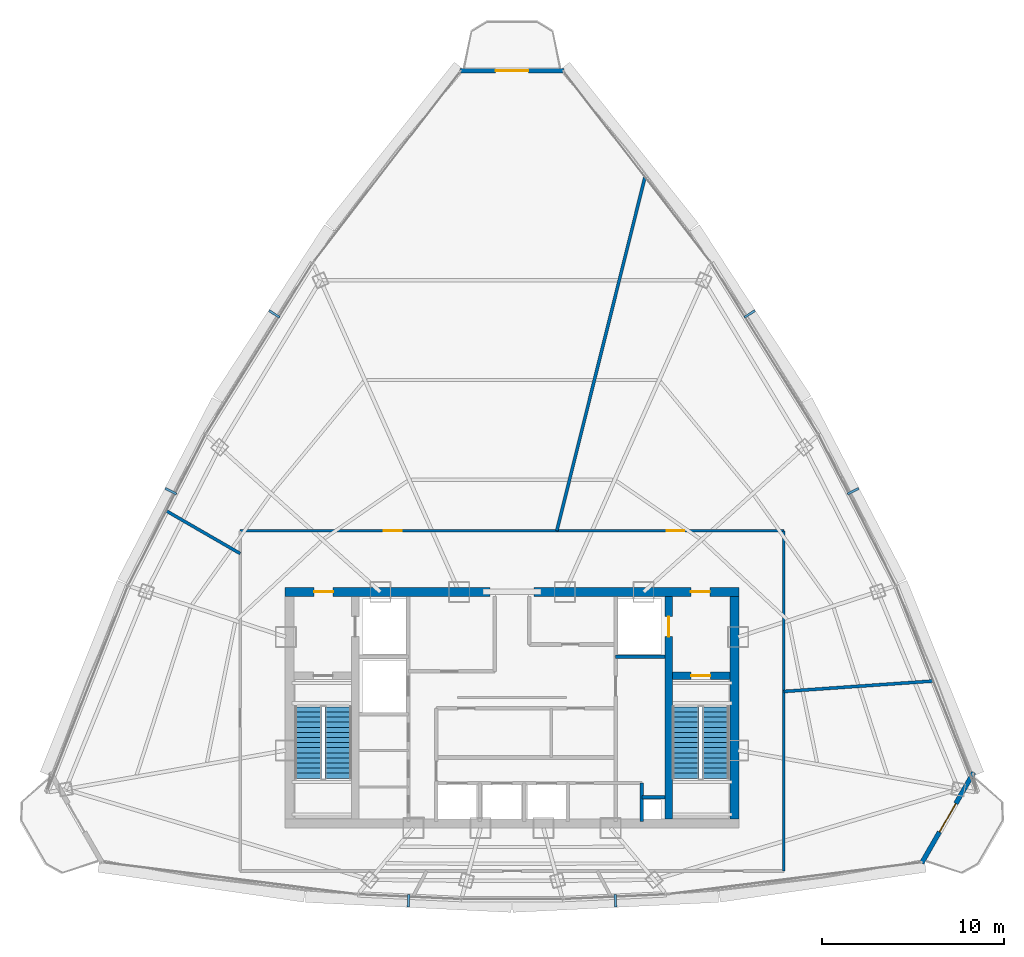
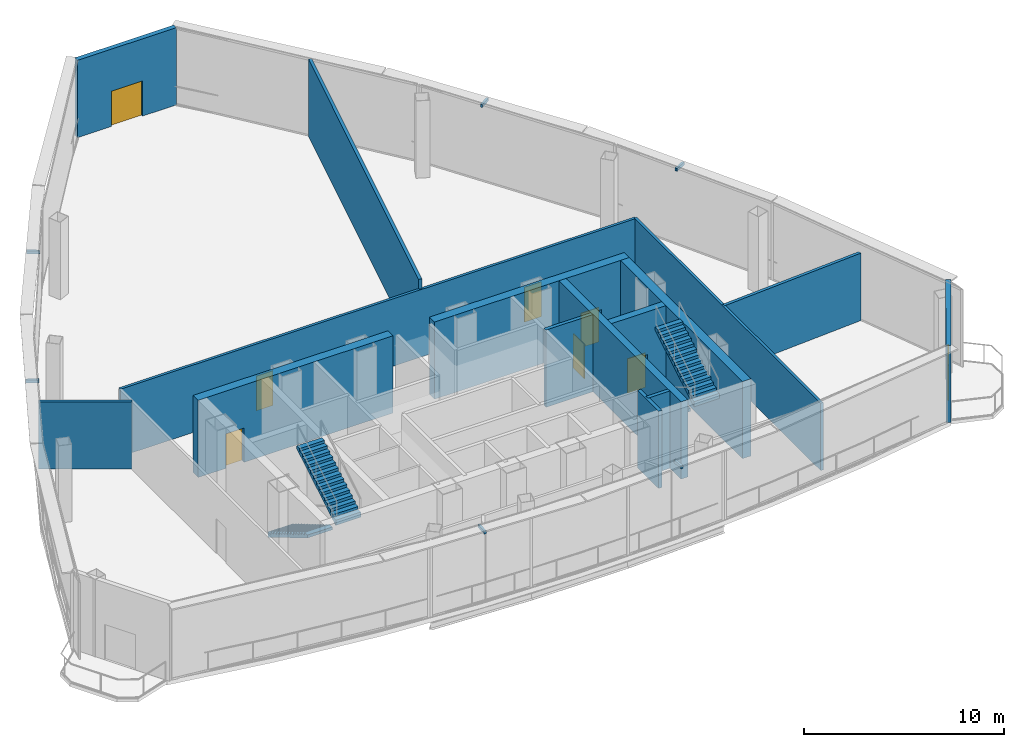
# One storey, part 25 of 29: 15 walls, 8 doors, 6 discrete accessories, 4 stair flights, 8 openings, 2 elements without a shape of their own.
"""IFC4 building model written with IfcOpenShell, lengths in metres."""

from ifc_helpers import new_model, si_unit, direction, frame, frame_2d, origin, origin_with_axes, origin_2d, place, context, subcontext, project, spatial, polyline, rectangle, outline, extrude, source, transform, mapped, material, layer, layer_set, type_object, element, fill, aggregate, save


model = new_model("IFC4")

# Units and contexts
model_context = context("Model", 3, precision=1e-05, world=origin(), true_north=direction((0.0, 1.0)))
body_context = subcontext(model_context, "Body", "Model", "MODEL_VIEW")
ifc_project = project(units=[si_unit("LENGTHUNIT", "METRE"), si_unit("AREAUNIT", "SQUARE_METRE"), si_unit("VOLUMEUNIT", "CUBIC_METRE"), si_unit("PLANEANGLEUNIT", "RADIAN"), si_unit("MASSUNIT", "GRAM", prefix="KILO"), si_unit("THERMODYNAMICTEMPERATUREUNIT", "KELVIN"), si_unit("POWERUNIT", "WATT")], contexts=[model_context])

# Site, building, storey
site_placement = place(None, origin())
site = spatial("IfcSite", under=ifc_project, at=site_placement, CompositionType="ELEMENT")
building_placement = place(site_placement, origin())
building = spatial("IfcBuilding", under=site, at=building_placement, Name="Yunzhuo Pagoda Commons", CompositionType="ELEMENT")
storey_placement = place(building_placement, frame((0.0, 0.0, 366.760009765625)))
storey = spatial("IfcBuildingStorey", under=building, at=storey_placement, Name="L92", CompositionType="ELEMENT", Elevation=366.760009765625)

# Wall, opening, door
ifc_material_1 = material(Name="Precast concrete C40", Category="concrete")
ifc_layer_1 = layer(ifc_material_1, 0.260009765625)
ifc_layer_set_1 = layer_set([ifc_layer_1], Name="Precast concrete C40")
wall_type_1 = type_object("IfcWallType", Name="W-BAL1 Corner Balcony Threshold Wall 260", PredefinedType="STANDARD", material=ifc_layer_set_1)
wall_1_placement = place(storey_placement, frame((70.458740234375, 25.33251953125, 0.0), z_axis=(0.0, 0.0, 1.0), x_axis=(0.497922092791, 0.867221764897, 0.0)))
wall_1 = element("IfcWall", 1, at=wall_1_placement, inside=storey, type_object=wall_type_1, Name="L92 corner balcony wall V2", PredefinedType="STANDARD", context=body_context, shape_type="SweptSolid", body=[
    extrude(rectangle(XDim=5.732421875, YDim=0.260009765625, at=frame_2d((2.8662109375, 0.0))), origin(), (0.0, 0.0, 1.0), 4.719970703125),
])
opening_1_placement = place(wall_1_placement, frame((1.966064453125, 0.0, 0.0)))
opening_1 = element("IfcOpeningElement", 2, at=opening_1_placement, cuts=wall_1, Name="Opening D-BAL1", PredefinedType="OPENING", context=body_context, shape_type="SweptSolid", body=[
    extrude(rectangle(XDim=1.800048828125, YDim=2.14990234375, at=frame_2d((0.89990234375, 1.074951171875))), frame((0.0, 0.14013671875, 0.0), z_axis=(0.0, -1.0, 0.0), x_axis=(1.0, 0.0, 0.0)), (0.0, 0.0, 1.0), 0.280029296875),
])
ifc_material_2 = material(Name="Anodized aluminium frame and tempered glazed leaf", Category="aluminium")
door_type_1 = type_object("IfcDoorType", Name="D-BAL1 Corner Balcony Sliding Glazed Door 1800x2150", OperationType="DOUBLE_DOOR_SLIDING", PredefinedType="DOOR", material=ifc_material_2)
shared_shape_1 = source(origin(), body_context, "Body", "SweptSolid", [
    extrude(rectangle(XDim=1.800048828125, YDim=2.14990234375, at=frame_2d((0.89990234375, 1.074951171875))), frame((0.0, 0.02490234375, 0.0), z_axis=(0.0, -1.0, 0.0), x_axis=(1.0, 0.0, 0.0)), (0.0, 0.0, 1.0), 0.050048828125),
])
door_1_placement = place(opening_1_placement, origin_with_axes())
door_1 = element("IfcDoor", 3, at=door_1_placement, inside=storey, type_object=door_type_1, Name="L92 corner balcony sliding door V2", OperationType="DOUBLE_DOOR_SLIDING", OverallHeight=2.14990234375, OverallWidth=1.800048828125, PredefinedType="DOOR", context=body_context, shape_type="MappedRepresentation", body=[
    mapped(shared_shape_1, transform((0.0, 0.0, 0.0), scale=1.0)),
])
fill(opening_1, door_1)

wall_2_placement = place(storey_placement, frame((50.85498046875, 68.774169921875, 0.0), z_axis=(0.0, 0.0, 1.0), x_axis=(-1.0, 0.0, 0.0)))
wall_2 = element("IfcWall", 4, at=wall_2_placement, inside=storey, type_object=wall_type_1, Name="L92 corner balcony wall V3", PredefinedType="STANDARD", context=body_context, shape_type="SweptSolid", body=[
    extrude(rectangle(XDim=5.7099609375, YDim=0.260009765625, at=frame_2d((2.85498046875, 0.0))), origin(), (0.0, 0.0, 1.0), 4.719970703125),
])
opening_2_placement = place(wall_2_placement, frame((1.954833984375, 0.0, 0.0)))
opening_2 = element("IfcOpeningElement", 5, at=opening_2_placement, cuts=wall_2, Name="Opening D-BAL1", PredefinedType="OPENING", context=body_context, shape_type="SweptSolid", body=[
    extrude(rectangle(XDim=1.800048828125, YDim=2.14990234375, at=frame_2d((0.89990234375, 1.074951171875))), frame((0.0, 0.14013671875, 0.0), z_axis=(0.0, -1.0, 0.0), x_axis=(1.0, 0.0, 0.0)), (0.0, 0.0, 1.0), 0.280029296875),
])
door_2_placement = place(opening_2_placement, origin_with_axes())
door_2 = element("IfcDoor", 6, at=door_2_placement, inside=storey, type_object=door_type_1, Name="L92 corner balcony sliding door V3", OperationType="DOUBLE_DOOR_SLIDING", OverallHeight=2.14990234375, OverallWidth=1.800048828125, PredefinedType="DOOR", context=body_context, shape_type="MappedRepresentation", body=[
    mapped(shared_shape_1, transform((0.0, 0.0, 0.0), scale=1.0)),
])
fill(opening_2, door_2)

ifc_material_3 = material(Name="Concrete C50", Category="concrete")
ifc_layer_2 = layer(ifc_material_3, 0.5)
ifc_layer_set_2 = layer_set([ifc_layer_2], Name="Concrete C50")
wall_type_2 = type_object("IfcWallType", Name="W-C03 Upper Core Shear Wall 500", PredefinedType="SHEAR", material=ifc_layer_set_2)
wall_3_placement = place(storey_placement, frame((35.550048828125, 40.199951171875, 0.0), z_axis=(0.0, 0.0, 1.0), x_axis=(1.0, 0.0, 0.0)))
wall_3 = element("IfcWall", 7, at=wall_3_placement, inside=storey, type_object=wall_type_2, Name="L92 core shear wall NW", PredefinedType="SHEAR", context=body_context, shape_type="SweptSolid", body=[
    extrude(rectangle(XDim=11.25, YDim=0.5, at=frame_2d((5.625, 0.0))), origin(), (0.0, 0.0, 1.0), 4.719970703125),
])
opening_3_placement = place(wall_3_placement, frame((1.60009765625, 0.0, 0.0)))
opening_3 = element("IfcOpeningElement", 8, at=opening_3_placement, cuts=wall_3, Name="Opening D-02", PredefinedType="OPENING", context=body_context, shape_type="SweptSolid", body=[
    extrude(rectangle(XDim=1.050048828125, YDim=2.10009765625, at=frame_2d((0.52490234375, 1.050048828125))), frame((0.0, 0.260009765625, 0.0), z_axis=(0.0, -1.0, 0.0), x_axis=(1.0, 0.0, 0.0)), (0.0, 0.0, 1.0), 0.52001953125),
])
ifc_material_4 = material(Name="Galvanized fire-resisting metal leaf")
door_type_2 = type_object("IfcDoorType", Name="D-02 Firefighting Lobby & Refuge Fire Door 1050x2100", OperationType="NOTDEFINED", PredefinedType="DOOR", material=ifc_material_4)
shared_shape_2 = source(origin(), body_context, "Body", "SweptSolid", [
    extrude(rectangle(XDim=1.050048828125, YDim=2.10009765625, at=frame_2d((0.52490234375, 1.050048828125))), frame((0.0, 0.02490234375, 0.0), z_axis=(0.0, -1.0, 0.0), x_axis=(1.0, 0.0, 0.0)), (0.0, 0.0, 1.0), 0.050048828125),
])
door_3_placement = place(opening_3_placement, frame((1.050048828125, 0.0, 0.0), z_axis=(0.0, 0.0, 1.0), x_axis=(-1.0, 0.0, 0.0)))
door_3 = element("IfcDoor", 9, at=door_3_placement, inside=storey, type_object=door_type_2, Name="L92 Firefighting Lobby 1 fire door", OperationType="SINGLE_SWING_LEFT", OverallHeight=2.10009765625, OverallWidth=1.050048828125, PredefinedType="DOOR", context=body_context, shape_type="MappedRepresentation", body=[
    mapped(shared_shape_2, transform((0.0, 0.0, 0.0), scale=1.0)),
])
fill(opening_3, door_3)

wall_4_placement = place(storey_placement, frame((49.199951171875, 40.199951171875, 0.0), z_axis=(0.0, 0.0, 1.0), x_axis=(1.0, 0.0, 0.0)))
wall_4 = element("IfcWall", 10, at=wall_4_placement, inside=storey, type_object=wall_type_2, Name="L92 core shear wall NE", PredefinedType="SHEAR", context=body_context, shape_type="SweptSolid", body=[
    extrude(rectangle(XDim=11.25, YDim=0.5, at=frame_2d((5.625, 0.0))), origin(), (0.0, 0.0, 1.0), 4.719970703125),
])
opening_4_placement = place(wall_4_placement, frame((8.60009765625, 0.0, 0.0)))
opening_4 = element("IfcOpeningElement", 11, at=opening_4_placement, cuts=wall_4, Name="Opening D-02", PredefinedType="OPENING", context=body_context, shape_type="SweptSolid", body=[
    extrude(rectangle(XDim=1.050048828125, YDim=2.10009765625, at=frame_2d((0.52490234375, 1.050048828125))), frame((0.0, 0.260009765625, 0.0), z_axis=(0.0, -1.0, 0.0), x_axis=(1.0, 0.0, 0.0)), (0.0, 0.0, 1.0), 0.52001953125),
])
door_4_placement = place(opening_4_placement, frame((1.050048828125, 0.0, 0.0), z_axis=(0.0, 0.0, 1.0), x_axis=(-1.0, 0.0, 0.0)))
door_4 = element("IfcDoor", 12, at=door_4_placement, inside=storey, type_object=door_type_2, Name="L92 Firefighting Lobby 2 fire door", OperationType="SINGLE_SWING_RIGHT", OverallHeight=2.10009765625, OverallWidth=1.050048828125, PredefinedType="DOOR", context=body_context, shape_type="MappedRepresentation", body=[
    mapped(shared_shape_2, transform((0.0, 0.0, 0.0), scale=1.0)),
])
fill(opening_4, door_4)

# Walls
wall_5_placement = place(storey_placement, frame((60.199951171875, 27.75, 0.0), z_axis=(0.0, 0.0, 1.0), x_axis=(0.0, 1.0, 0.0)))
element("IfcWall", 13, at=wall_5_placement, inside=storey, type_object=wall_type_2, Name="L92 core shear wall E", PredefinedType="SHEAR", context=body_context, shape_type="SweptSolid", body=[
    extrude(rectangle(XDim=12.199951171875, YDim=0.5, at=frame_2d((6.10009765625, 0.0))), origin(), (0.0, 0.0, 1.0), 4.719970703125),
])
ifc_material_5 = material(Name="Gypsum plasterboard on acoustic stud")
ifc_layer_3 = layer(ifc_material_5, 0.14990234375)
ifc_layer_set_3 = layer_set([ifc_layer_3], Name="Gypsum plasterboard on acoustic stud")
wall_type_3 = type_object("IfcWallType", Name="W-COR3 High-Zone Rated Corridor Wall 150", PredefinedType="PARTITIONING", material=ifc_layer_set_3)
wall_6_placement = place(storey_placement, frame((62.89990234375, 24.89990234375, 0.0), z_axis=(0.0, 0.0, 1.0), x_axis=(0.0, 1.0, 0.0)))
element("IfcWall", 14, at=wall_6_placement, inside=storey, type_object=wall_type_3, Name="L92 interior wall IW-L92-SCW02", PredefinedType="PARTITIONING", context=body_context, shape_type="SweptSolid", body=[
    extrude(rectangle(XDim=18.650146484375, YDim=0.14990234375, at=frame_2d((9.3251953125, 0.0))), origin(), (0.0, 0.0, 1.0), 4.119873046875),
])

# Wall, openings, doors
wall_7_placement = place(storey_placement, frame((62.89990234375, 43.550048828125, 0.0), z_axis=(0.0, 0.0, 1.0), x_axis=(-1.0, 0.0, 0.0)))
wall_7 = element("IfcWall", 15, at=wall_7_placement, inside=storey, type_object=wall_type_3, Name="L92 interior wall IW-L92-SCW03", PredefinedType="PARTITIONING", context=body_context, shape_type="SweptSolid", body=[
    extrude(rectangle(XDim=29.7998046875, YDim=0.14990234375, at=frame_2d((14.89990234375, 0.0))), origin(), (0.0, 0.0, 1.0), 4.119873046875),
])
opening_5_placement = place(wall_7_placement, frame((5.447021484375, 0.0, 0.0)))
opening_5 = element("IfcOpeningElement", 16, at=opening_5_placement, cuts=wall_7, Name="Opening D-08", PredefinedType="OPENING", context=body_context, shape_type="SweptSolid", body=[
    extrude(rectangle(XDim=0.97998046875, YDim=2.1201171875, at=frame_2d((0.489990234375, 1.06005859375))), frame((0.0, 0.0849609375, 0.0), z_axis=(0.0, -1.0, 0.0), x_axis=(1.0, 0.0, 0.0)), (0.0, 0.0, 1.0), 0.169921875),
])
opening_6_placement = place(wall_7_placement, frame((20.947021484375, 0.0, 0.0)))
opening_6 = element("IfcOpeningElement", 17, at=opening_6_placement, cuts=wall_7, Name="Opening D-08", PredefinedType="OPENING", context=body_context, shape_type="SweptSolid", body=[
    extrude(rectangle(XDim=0.97998046875, YDim=2.1201171875, at=frame_2d((0.489990234375, 1.06005859375))), frame((0.0, 0.0849609375, 0.0), z_axis=(0.0, -1.0, 0.0), x_axis=(1.0, 0.0, 0.0)), (0.0, 0.0, 1.0), 0.169921875),
])
door_type_3 = type_object("IfcDoorType", Name="D-08 High-Zone Suite Entrance Fire Door 980x2120", OperationType="NOTDEFINED", PredefinedType="DOOR", material=ifc_material_4)
shared_shape_3 = source(origin(), body_context, "Body", "SweptSolid", [
    extrude(rectangle(XDim=0.97998046875, YDim=2.1201171875, at=frame_2d((0.489990234375, 1.06005859375))), frame((0.0, 0.02490234375, 0.0), z_axis=(0.0, -1.0, 0.0), x_axis=(1.0, 0.0, 0.0)), (0.0, 0.0, 1.0), 0.050048828125),
])
door_5_placement = place(opening_5_placement, origin_with_axes())
door_5 = element("IfcDoor", 18, at=door_5_placement, inside=storey, type_object=door_type_3, Name="L92 Summit Observation Gallery door", OperationType="SINGLE_SWING_LEFT", OverallHeight=2.1201171875, OverallWidth=0.97998046875, PredefinedType="DOOR", context=body_context, shape_type="MappedRepresentation", body=[
    mapped(shared_shape_3, transform((0.0, 0.0, 0.0), scale=1.0)),
])
fill(opening_5, door_5)
door_6_placement = place(opening_6_placement, origin_with_axes())
door_6 = element("IfcDoor", 19, at=door_6_placement, inside=storey, type_object=door_type_3, Name="L92 Panorama Research Study Commons door", OperationType="SINGLE_SWING_RIGHT", OverallHeight=2.1201171875, OverallWidth=0.97998046875, PredefinedType="DOOR", context=body_context, shape_type="MappedRepresentation", body=[
    mapped(shared_shape_3, transform((0.0, 0.0, 0.0), scale=1.0)),
])
fill(opening_6, door_6)

# Walls
ifc_layer_4 = layer(ifc_material_5, 0.169921875)
ifc_layer_set_4 = layer_set([ifc_layer_4], Name="Gypsum plasterboard on acoustic stud")
wall_type_4 = type_object("IfcWallType", Name="W-PRT4 High-Zone Demising Wall 170", PredefinedType="PARTITIONING", material=ifc_layer_set_4)
wall_8_placement = place(storey_placement, frame((62.89990234375, 34.741943359375, 0.0), z_axis=(0.0, 0.0, 1.0), x_axis=(0.99756353515, 0.069763839764, 0.0)))
element("IfcWall", 20, at=wall_8_placement, inside=storey, type_object=wall_type_4, Name="L92 interior wall IW-L92-SRAD1", PredefinedType="PARTITIONING", context=body_context, shape_type="SweptSolid", body=[
    extrude(rectangle(XDim=8.223876953125, YDim=0.169921875, at=frame_2d((4.11181640625, 0.0))), origin(), (0.0, 0.0, 1.0), 4.119873046875),
])
wall_9_placement = place(storey_placement, frame((50.455810546875, 43.550048828125, 0.0), z_axis=(0.0, 0.0, 1.0), x_axis=(0.241923592063, 0.970295303299, 0.0)))
element("IfcWall", 21, at=wall_9_placement, inside=storey, type_object=wall_type_4, Name="L92 interior wall IW-L92-SRAD2", PredefinedType="PARTITIONING", context=body_context, shape_type="SweptSolid", body=[
    extrude(rectangle(XDim=19.99365234375, YDim=0.169921875, at=frame_2d((9.996826171875, 0.0))), origin(), (0.0, 0.0, 1.0), 4.719970703125),
])
wall_10_placement = place(storey_placement, frame((33.10009765625, 42.302490234375, 0.0), z_axis=(0.0, 0.0, 1.0), x_axis=(-0.866015242679, 0.500017599138, 0.0)))
element("IfcWall", 22, at=wall_10_placement, inside=storey, type_object=wall_type_4, Name="L92 interior wall IW-L92-SRAD3", PredefinedType="PARTITIONING", context=body_context, shape_type="SweptSolid", body=[
    extrude(rectangle(XDim=4.677978515625, YDim=0.169921875, at=frame_2d((2.3388671875, 0.0))), origin(), (0.0, 0.0, 1.0), 4.119873046875),
])

# Wall, opening, door
ifc_material_6 = material(Name="Concrete C60", Category="concrete")
ifc_layer_5 = layer(ifc_material_6, 0.39990234375)
ifc_layer_set_5 = layer_set([ifc_layer_5], Name="Concrete C60")
wall_type_5 = type_object("IfcWallType", Name="W-S01 Internal Core Shear Web 400", PredefinedType="SHEAR", material=ifc_layer_set_5)
wall_11_placement = place(storey_placement, frame((56.60009765625, 27.75, 0.0), z_axis=(0.0, 0.0, 1.0), x_axis=(0.0, 1.0, 0.0)))
wall_11 = element("IfcWall", 23, at=wall_11_placement, inside=storey, type_object=wall_type_5, Name="L92 core shear wall WEBE", PredefinedType="SHEAR", context=body_context, shape_type="SweptSolid", body=[
    extrude(rectangle(XDim=12.199951171875, YDim=0.39990234375, at=frame_2d((6.10009765625, 0.0))), origin(), (0.0, 0.0, 1.0), 4.719970703125),
])
opening_7_placement = place(wall_11_placement, frame((10.0, 0.0, 0.0)))
opening_7 = element("IfcOpeningElement", 24, at=opening_7_placement, cuts=wall_11, Name="Opening LD-01", PredefinedType="OPENING", context=body_context, shape_type="SweptSolid", body=[
    extrude(rectangle(XDim=1.10009765625, YDim=2.10009765625, at=frame_2d((0.550048828125, 1.050048828125))), frame((0.0, 0.2099609375, 0.0), z_axis=(0.0, -1.0, 0.0), x_axis=(1.0, 0.0, 0.0)), (0.0, 0.0, 1.0), 0.419921875),
])
door_type_4 = type_object("IfcDoorType", Name="LD-01 Firefighting Lift Landing Door 1100x2100", OperationType="DOUBLE_DOOR_SLIDING", PredefinedType="DOOR", material=ifc_material_4)
shared_shape_4 = source(origin(), body_context, "Body", "SweptSolid", [
    extrude(rectangle(XDim=1.10009765625, YDim=2.10009765625, at=frame_2d((0.550048828125, 1.050048828125))), frame((0.0, 0.02490234375, 0.0), z_axis=(0.0, -1.0, 0.0), x_axis=(1.0, 0.0, 0.0)), (0.0, 0.0, 1.0), 0.050048828125),
])
door_7_placement = place(opening_7_placement, origin_with_axes())
door_7 = element("IfcDoor", 25, at=door_7_placement, inside=storey, type_object=door_type_4, Name="L92 Firefighting lift FL-2 landing door", OperationType="DOUBLE_DOOR_SLIDING", OverallHeight=2.10009765625, OverallWidth=1.10009765625, PredefinedType="DOOR", context=body_context, shape_type="MappedRepresentation", body=[
    mapped(shared_shape_4, transform((0.0, 0.0, 0.0), scale=1.0)),
])
fill(opening_7, door_7)

wall_12_placement = place(storey_placement, frame((56.800048828125, 35.60009765625, 0.0), z_axis=(0.0, 0.0, 1.0), x_axis=(1.0, 0.0, 0.0)))
wall_12 = element("IfcWall", 26, at=wall_12_placement, inside=storey, type_object=wall_type_5, Name="L92 core shear wall STE", PredefinedType="SHEAR", context=body_context, shape_type="SweptSolid", body=[
    extrude(rectangle(XDim=3.14990234375, YDim=0.39990234375, at=frame_2d((1.574951171875, 0.0))), origin(), (0.0, 0.0, 1.0), 4.719970703125),
])
opening_8_placement = place(wall_12_placement, frame((1.02001953125, 0.0, 0.0)))
opening_8 = element("IfcOpeningElement", 27, at=opening_8_placement, cuts=wall_12, Name="Opening D-01", PredefinedType="OPENING", context=body_context, shape_type="SweptSolid", body=[
    extrude(rectangle(XDim=1.050048828125, YDim=2.10009765625, at=frame_2d((0.52490234375, 1.050048828125))), frame((0.0, 0.2099609375, 0.0), z_axis=(0.0, -1.0, 0.0), x_axis=(1.0, 0.0, 0.0)), (0.0, 0.0, 1.0), 0.419921875),
])
door_type_5 = type_object("IfcDoorType", Name="D-01 Smokeproof Stair Fire Door 1050x2100", OperationType="NOTDEFINED", PredefinedType="DOOR", material=ifc_material_4)
door_8_placement = place(opening_8_placement, frame((1.050048828125, 0.0, 0.0), z_axis=(0.0, 0.0, 1.0), x_axis=(-1.0, 0.0, 0.0)))
door_8 = element("IfcDoor", 28, at=door_8_placement, inside=storey, type_object=door_type_5, Name="L92 Stair ST2 fire door", OperationType="SINGLE_SWING_RIGHT", OverallHeight=2.10009765625, OverallWidth=1.050048828125, PredefinedType="DOOR", context=body_context, shape_type="MappedRepresentation", body=[
    mapped(shared_shape_2, transform((0.0, 0.0, 0.0), scale=1.0)),
])
fill(opening_8, door_8)

# Walls
ifc_material_7 = material(Name="Concrete C40", Category="concrete")
ifc_layer_6 = layer(ifc_material_7, 0.199951171875)
ifc_layer_set_6 = layer_set([ifc_layer_6], Name="Concrete C40")
wall_type_6 = type_object("IfcWallType", Name="W-SHF Shaft & Stair Enclosure Wall 200", PredefinedType="SOLIDWALL", material=ifc_layer_set_6)
wall_13_placement = place(storey_placement, frame((53.679931640625, 36.64990234375, 0.0), z_axis=(0.0, 0.0, 1.0), x_axis=(1.0, 0.0, 0.0)))
element("IfcWall", 29, at=wall_13_placement, inside=storey, type_object=wall_type_6, Name="L92 interior wall IW-L92-FL2S", PredefinedType="SOLIDWALL", context=body_context, shape_type="SweptSolid", body=[
    extrude(rectangle(XDim=2.719970703125, YDim=0.199951171875, at=frame_2d((1.35986328125, 0.0))), origin(), (0.0, 0.0, 1.0), 4.719970703125),
])
wall_14_placement = place(storey_placement, frame((55.1201171875, 27.60009765625, 0.0), z_axis=(0.0, 0.0, 1.0), x_axis=(0.0, 1.0, 0.0)))
element("IfcWall", 30, at=wall_14_placement, inside=storey, type_object=wall_type_6, Name="L92 interior wall IW-L92-RSHFW", PredefinedType="SOLIDWALL", context=body_context, shape_type="SweptSolid", body=[
    extrude(rectangle(XDim=2.119873046875, YDim=0.199951171875, at=frame_2d((1.06005859375, 0.0))), origin(), (0.0, 0.0, 1.0), 4.719970703125),
])
wall_15_placement = place(storey_placement, frame((55.1201171875, 28.949951171875, 0.0), z_axis=(0.0, 0.0, 1.0), x_axis=(1.0, 0.0, 0.0)))
element("IfcWall", 31, at=wall_15_placement, inside=storey, type_object=wall_type_6, Name="L92 interior wall IW-L92-RSHFN", PredefinedType="SOLIDWALL", context=body_context, shape_type="SweptSolid", body=[
    extrude(rectangle(XDim=1.27978515625, YDim=0.199951171875, at=frame_2d((0.639892578125, 0.0))), origin(), (0.0, 0.0, 1.0), 4.719970703125),
])

# Stair, stair flights
stair_type_1 = type_object("IfcStairType", Name="ST-C1 Core Smokeproof Stair ST1", PredefinedType="HALF_TURN_STAIR", material=ifc_material_7)
stair_1_placement = place(storey_placement, origin())
stair_1 = element("IfcStair", 32, at=stair_1_placement, inside=storey, type_object=stair_type_1, Name="L92 Core smokeproof stair ST1", PredefinedType="HALF_TURN_STAIR")
stair_flight_type_1 = type_object("IfcStairFlightType", Name="STF-C1 Core Stair Flight 1450", PredefinedType="STRAIGHT", material=ifc_material_7)
shared_shape_5 = source(origin(), body_context, "Body", "SweptSolid", [
    extrude(outline(polyline([(0.0, -0.14990234375), (0.0, 0.0), (0.0, 0.166748046875), (0.280029296875, 0.166748046875), (0.280029296875, 0.333251953125), (0.56005859375, 0.333251953125), (0.56005859375, 0.5), (0.840087890625, 0.5), (0.840087890625, 0.666748046875), (1.1201171875, 0.666748046875), (1.1201171875, 0.833251953125), (1.39990234375, 0.833251953125), (1.39990234375, 1.0), (1.679931640625, 1.0), (1.679931640625, 1.166748046875), (1.9599609375, 1.166748046875), (1.9599609375, 1.333251953125), (2.239990234375, 1.333251953125), (2.239990234375, 1.5), (2.52001953125, 1.5), (2.52001953125, 1.666748046875), (2.800048828125, 1.666748046875), (2.800048828125, 1.833251953125), (3.080078125, 1.833251953125), (3.080078125, 2.0), (3.360107421875, 2.0), (3.360107421875, 2.166748046875), (3.639892578125, 2.166748046875), (3.639892578125, 2.333251953125), (3.919921875, 2.333251953125), (3.919921875, 2.5), (3.919921875, 2.158935546875), (0.29296875, 0.0), (0.050048828125, -0.14990234375), (0.0, -0.14990234375)])), frame((0.0, 0.72509765625, 0.0), z_axis=(0.0, -1.0, 0.0), x_axis=(1.0, 0.0, 0.0)), (0.0, 0.0, 1.0), 1.449951171875),
])
stair_flight_1_placement = place(storey_placement, frame((36.824951171875, 33.89990234375, 0.0), z_axis=(0.0, 0.0, 1.0), x_axis=(0.0, -1.0, 0.0)))
stair_flight_1 = element("IfcStairFlight", 33, at=stair_flight_1_placement, type_object=stair_flight_type_1, Name="ST1 flight 1", NumberOfRisers=15, NumberOfTreads=14, PredefinedType="STRAIGHT", RiserHeight=0.166666667, TreadLength=0.28, context=body_context, shape_type="MappedRepresentation", body=[
    mapped(shared_shape_5, transform((0.0, 0.0, 0.0), scale=1.0)),
])
stair_flight_2_placement = place(storey_placement, frame((38.47509765625, 29.97998046875, 2.5), z_axis=(0.0, 0.0, 1.0), x_axis=(0.0, 1.0, 0.0)))
stair_flight_2 = element("IfcStairFlight", 34, at=stair_flight_2_placement, type_object=stair_flight_type_1, Name="ST1 flight 2", NumberOfRisers=15, NumberOfTreads=14, PredefinedType="STRAIGHT", RiserHeight=0.166666667, TreadLength=0.28, context=body_context, shape_type="MappedRepresentation", body=[
    mapped(shared_shape_5, transform((0.0, 0.0, 0.0), scale=1.0)),
])
aggregate(stair_1, [stair_flight_1, stair_flight_2])

stair_type_2 = type_object("IfcStairType", Name="ST-C2 Core Smokeproof Stair ST2", PredefinedType="HALF_TURN_STAIR", material=ifc_material_7)
stair_2_placement = place(storey_placement, origin())
stair_2 = element("IfcStair", 35, at=stair_2_placement, inside=storey, type_object=stair_type_2, Name="L92 Core smokeproof stair ST2", PredefinedType="HALF_TURN_STAIR")
stair_flight_type_2 = type_object("IfcStairFlightType", Name="STF-C2 Core Stair Flight 1460", PredefinedType="STRAIGHT", material=ifc_material_7)
stair_flight_3_placement = place(storey_placement, frame((57.52490234375, 33.89990234375, 0.0), z_axis=(0.0, 0.0, 1.0), x_axis=(0.0, -1.0, 0.0)))
stair_flight_3 = element("IfcStairFlight", 36, at=stair_flight_3_placement, type_object=stair_flight_type_2, Name="ST2 flight 1", NumberOfRisers=15, NumberOfTreads=14, PredefinedType="STRAIGHT", RiserHeight=0.166666667, TreadLength=0.28, context=body_context, shape_type="MappedRepresentation", body=[
    mapped(shared_shape_5, transform((0.0, 0.0, 0.0), scale=1.0)),
])
stair_flight_4_placement = place(storey_placement, frame((59.175048828125, 29.97998046875, 2.5), z_axis=(0.0, 0.0, 1.0), x_axis=(0.0, 1.0, 0.0)))
stair_flight_4 = element("IfcStairFlight", 37, at=stair_flight_4_placement, type_object=stair_flight_type_2, Name="ST2 flight 2", NumberOfRisers=15, NumberOfTreads=14, PredefinedType="STRAIGHT", RiserHeight=0.166666667, TreadLength=0.28, context=body_context, shape_type="MappedRepresentation", body=[
    mapped(shared_shape_5, transform((0.0, 0.0, 0.0), scale=1.0)),
])
aggregate(stair_2, [stair_flight_3, stair_flight_4])

# Discrete accessories
ifc_material_8 = material(Name="Anodized aluminium 6063-T6", Category="aluminium")
discrete_accessory_type = type_object("IfcDiscreteAccessoryType", Name="BK-SUN1 Sunshade Outrigger Bracket", PredefinedType="BRACKET", material=ifc_material_8)
shared_shape_6 = source(origin(), body_context, "Body", "SweptSolid", [
    extrude(rectangle(XDim=0.1201171875, YDim=0.679931640625, at=origin_2d()), origin(), (0.0, 0.0, 1.0), 0.179931640625),
])
for number, where, z_axis, x_axis, name in (
    (38, (42.32861328125, 23.269775390625, 4.51025390625), (0.0, 0.0, 1.0), (0.998818043775, -0.04860571396, 0.0), "L92 sunshade outrigger bracket F1.2"),
    (39, (53.67138671875, 23.269775390625, 4.51025390625), (0.0, 0.0, 1.0), (0.998818043775, 0.04860571396, 0.0), "L92 sunshade outrigger bracket F1.3"),
    (40, (66.70166015625, 45.7216796875, 4.51025390625), (0.0, 0.0, 1.0), (-0.461206683033, 0.88729273384, 0.0), "L92 sunshade outrigger bracket F2.2"),
    (41, (61.0302734375, 55.4375, 4.51025390625), (0.0, 0.0, 1.0), (-0.545853380833, 0.837880711458, 0.0), "L92 sunshade outrigger bracket F2.3"),
    (42, (34.9697265625, 55.4375, 4.51025390625), (0.0, 0.0, 1.0), (-0.545853380833, -0.837880711458, 0.0), "L92 sunshade outrigger bracket F3.2"),
    (43, (29.29833984375, 45.7216796875, 4.51025390625), (0.0, 0.0, 1.0), (-0.461206683033, -0.88729273384, 0.0), "L92 sunshade outrigger bracket F3.3"),
):
    element("IfcDiscreteAccessory", number, at=place(storey_placement, frame(where, z_axis=z_axis, x_axis=x_axis)), inside=storey, type_object=discrete_accessory_type, Name=name, PredefinedType="BRACKET", context=body_context, shape_type="MappedRepresentation", body=[
        mapped(shared_shape_6, transform((0.0, 0.0, 0.0), scale=1.0)),
    ])

save(model, "model.ifc")
